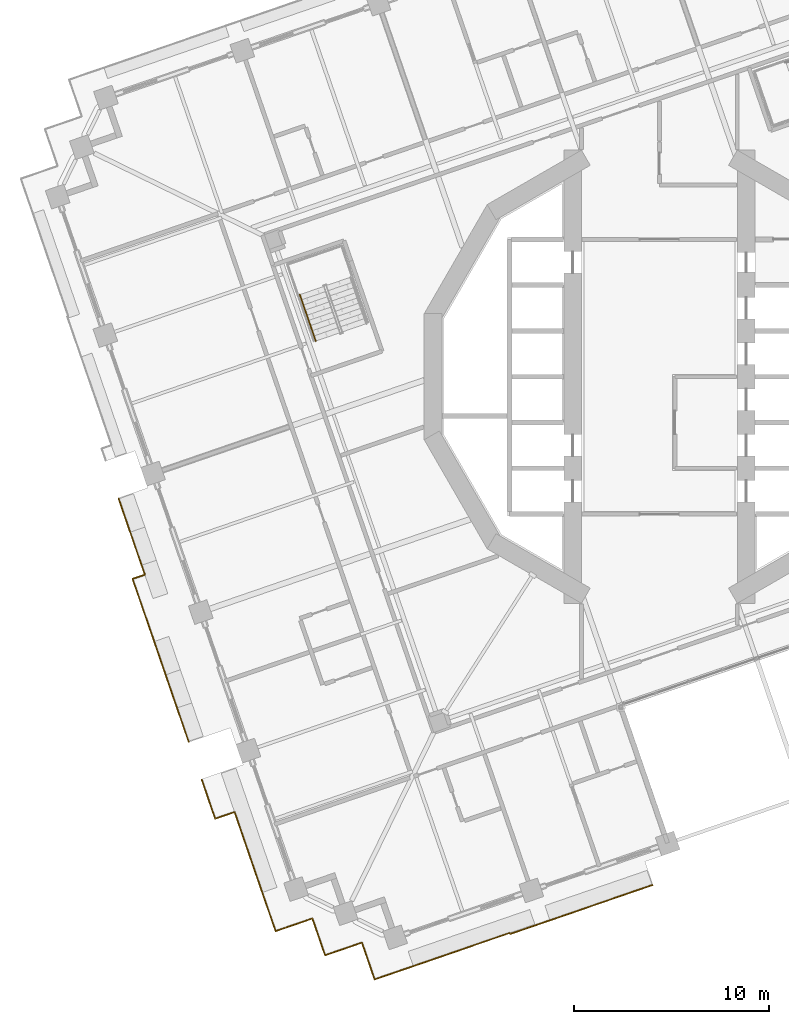
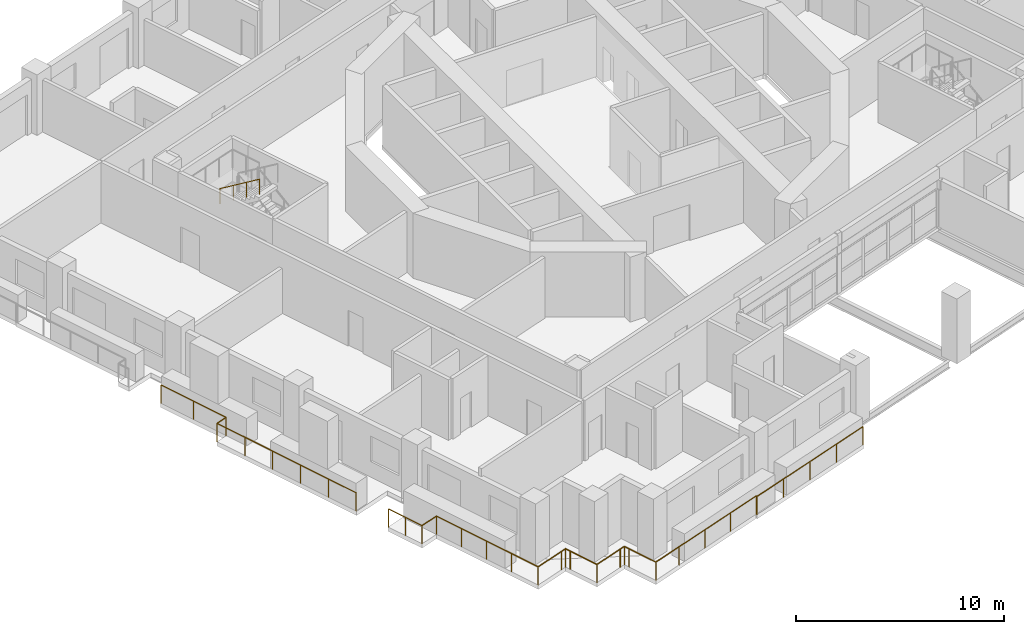
# One storey, part 16 of 22: 5 railings.
"""IFC4 building model written with IfcOpenShell, lengths in metres."""

from ifc_helpers import new_model, si_unit, direction, frame, origin, origin_2d, place, context, subcontext, project, spatial, circle, extrude, material, type_object, element, save


model = new_model("IFC4")

# Units and contexts
model_context = context("Model", 3, precision=1e-05, world=origin(), true_north=direction((0.0, 1.0)))
body_context = subcontext(model_context, "Body", "Model", "MODEL_VIEW")
ifc_project = project(units=[si_unit("LENGTHUNIT", "METRE"), si_unit("AREAUNIT", "SQUARE_METRE"), si_unit("VOLUMEUNIT", "CUBIC_METRE"), si_unit("PLANEANGLEUNIT", "RADIAN"), si_unit("MASSUNIT", "GRAM", prefix="KILO")], contexts=[model_context])

# Site, building, storey
site_placement = place(None, origin())
site = spatial("IfcSite", under=ifc_project, at=site_placement, CompositionType="ELEMENT")
building_placement = place(site_placement, origin())
building = spatial("IfcBuilding", under=site, at=building_placement, Name="Cantera Rosa Tower", CompositionType="ELEMENT")
storey_placement = place(building_placement, frame((0.0, 0.0, 104.10009765625)))
storey = spatial("IfcBuildingStorey", under=building, at=storey_placement, Name="L20", CompositionType="ELEMENT", Elevation=104.10009765625)

# Railings
ifc_material_1 = material(Name="Stainless steel and laminated glass", Category="steel")
railing_type_1 = type_object("IfcRailingType", Name="GUARD 1100", PredefinedType="BALUSTRADE", material=ifc_material_1)
railing_1_placement = place(storey_placement, frame((-18.098388671875, -27.9130859375, 0.0)))
element("IfcRailing", 1, at=railing_1_placement, inside=storey, type_object=railing_type_1, Name="GUARD L20-1", PredefinedType="BALUSTRADE", context=body_context, shape_type="SweptSolid", body=[
    extrude(circle(Radius=0.030029296875, at=origin_2d()), frame((0.0, 0.0, 1.070068359375), z_axis=(-0.945520918819, -0.325561349174, 0.0), x_axis=(0.325561349174, -0.945520918819, 0.0)), (0.0, 0.0, 1.0), 1.699951171875),
    extrude(circle(Radius=0.030029296875, at=origin_2d()), frame((-1.607421875, -0.553466796875, 1.070068359375), z_axis=(-0.325561349174, 0.945520918819, 0.0), x_axis=(-0.945520918819, -0.325561349174, 0.0)), (0.0, 0.0, 1.0), 1.699951171875),
    extrude(circle(Radius=0.030029296875, at=origin_2d()), frame((-2.160888671875, 1.053955078125, 1.070068359375), z_axis=(-0.325586514442, 0.94551225355, 0.0), x_axis=(-0.94551225355, -0.325586514442, 0.0)), (0.0, 0.0, 1.0), 4.76611328125),
    extrude(circle(Radius=0.030029296875, at=origin_2d()), frame((-3.712646484375, 5.560302734375, 1.070068359375), z_axis=(-0.945557453336, -0.325455223404, 0.0), x_axis=(0.325455223404, -0.945557453336, 0.0)), (0.0, 0.0, 1.0), 1.053955078125),
    extrude(circle(Radius=0.030029296875, at=origin_2d()), frame((-4.709228515625, 5.21728515625, 1.070068359375), z_axis=(-0.325523047431, 0.945534105991, 0.0), x_axis=(-0.945534105991, -0.325523047431, 0.0)), (0.0, 0.0, 1.0), 2.1240234375),
    extrude(circle(Radius=0.02490234375, at=origin_2d()), origin(), (0.0, 0.0, 1.0), 1.0400390625),
    extrude(circle(Radius=0.02490234375, at=origin_2d()), frame((-1.607421875, -0.553466796875, 0.0)), (0.0, 0.0, 1.0), 1.0400390625),
    extrude(circle(Radius=0.02490234375, at=origin_2d()), frame((-2.160888671875, 1.053955078125, 0.0)), (0.0, 0.0, 1.0), 1.0400390625),
    extrude(circle(Radius=0.02490234375, at=origin_2d()), frame((-2.67822265625, 2.55615234375, 0.0)), (0.0, 0.0, 1.0), 1.0400390625),
    extrude(circle(Radius=0.02490234375, at=origin_2d()), frame((-3.1953125, 4.05810546875, 0.0)), (0.0, 0.0, 1.0), 1.0400390625),
    extrude(circle(Radius=0.02490234375, at=origin_2d()), frame((-3.712646484375, 5.560302734375, 0.0)), (0.0, 0.0, 1.0), 1.0400390625),
    extrude(circle(Radius=0.02490234375, at=origin_2d()), frame((-4.709228515625, 5.21728515625, 0.0)), (0.0, 0.0, 1.0), 1.0400390625),
    extrude(circle(Radius=0.02490234375, at=origin_2d()), frame((-5.054931640625, 6.221435546875, 0.0)), (0.0, 0.0, 1.0), 1.0400390625),
    extrude(circle(Radius=0.02490234375, at=origin_2d()), frame((-5.400634765625, 7.2255859375, 0.0)), (0.0, 0.0, 1.0), 1.0400390625),
])
railing_2_placement = place(storey_placement, frame((-0.3525390625, -26.09814453125, 0.0)))
element("IfcRailing", 2, at=railing_2_placement, inside=storey, type_object=railing_type_1, Name="GUARD L20-2", PredefinedType="BALUSTRADE", context=body_context, shape_type="SweptSolid", body=[
    extrude(circle(Radius=0.030029296875, at=origin_2d()), frame((0.0, 0.0, 1.070068359375), z_axis=(-0.945517189381, -0.325572180299, 0.0), x_axis=(0.325572180299, -0.945517189381, 0.0)), (0.0, 0.0, 1.0), 7.731201171875),
    extrude(circle(Radius=0.030029296875, at=origin_2d()), frame((-7.31005859375, -2.51708984375, 1.070068359375), z_axis=(-0.325745820547, 0.945457381587, 0.0), x_axis=(-0.945457381587, -0.325745820547, 0.0)), (0.0, 0.0, 1.0), 0.0615234375),
    extrude(circle(Radius=0.030029296875, at=origin_2d()), frame((-7.330078125, -2.458984375, 1.070068359375), z_axis=(-0.945524258857, -0.32555164861, 0.0), x_axis=(0.32555164861, -0.945524258857, 0.0)), (0.0, 0.0, 1.0), 5.638671875),
    extrude(circle(Radius=0.030029296875, at=origin_2d()), frame((-12.66162109375, -4.294677734375, 1.070068359375), z_axis=(-0.945520918819, -0.325561349174, 0.0), x_axis=(0.325561349174, -0.945520918819, 0.0)), (0.0, 0.0, 1.0), 1.699951171875),
    extrude(circle(Radius=0.030029296875, at=origin_2d()), frame((-14.26904296875, -4.84814453125, 1.070068359375), z_axis=(-0.325561349174, 0.945520918819, 0.0), x_axis=(-0.945520918819, -0.325561349174, 0.0)), (0.0, 0.0, 1.0), 1.699951171875),
    extrude(circle(Radius=0.030029296875, at=origin_2d()), frame((-14.822509765625, -3.24072265625, 1.070068359375), z_axis=(-0.325489086777, 0.945545797087, 0.0), x_axis=(-0.945545797087, -0.325489086777, 0.0)), (0.0, 0.0, 1.0), 0.300048828125),
    extrude(circle(Radius=0.030029296875, at=origin_2d()), frame((-14.920166015625, -2.95703125, 1.070068359375), z_axis=(-0.945459489149, -0.325739703411, 0.0), x_axis=(0.325739703411, -0.945459489149, 0.0)), (0.0, 0.0, 1.0), 0.2998046875),
    extrude(circle(Radius=0.030029296875, at=origin_2d()), frame((-15.20361328125, -3.0546875, 1.070068359375), z_axis=(-0.945520918819, -0.325561349174, 0.0), x_axis=(0.325561349174, -0.945520918819, 0.0)), (0.0, 0.0, 1.0), 1.699951171875),
    extrude(circle(Radius=0.030029296875, at=origin_2d()), frame((-16.81103515625, -3.608154296875, 1.070068359375), z_axis=(-0.325605561237, 0.945505694584, 0.0), x_axis=(-0.945505694584, -0.325605561237, 0.0)), (0.0, 0.0, 1.0), 1.69970703125),
    extrude(circle(Radius=0.030029296875, at=origin_2d()), frame((-17.364501953125, -2.0009765625, 1.070068359375), z_axis=(-0.325489086777, 0.945545797087, 0.0), x_axis=(-0.945545797087, -0.325489086777, 0.0)), (0.0, 0.0, 1.0), 0.300048828125),
    extrude(circle(Radius=0.030029296875, at=origin_2d()), frame((-17.462158203125, -1.71728515625, 1.070068359375), z_axis=(-0.945545797087, -0.325489086777, 0.0), x_axis=(0.325489086777, -0.945545797087, 0.0)), (0.0, 0.0, 1.0), 0.300048828125),
    extrude(circle(Radius=0.02490234375, at=origin_2d()), origin(), (0.0, 0.0, 1.0), 1.0400390625),
    extrude(circle(Radius=0.02490234375, at=origin_2d()), frame((-1.82763671875, -0.62939453125, 0.0)), (0.0, 0.0, 1.0), 1.0400390625),
    extrude(circle(Radius=0.02490234375, at=origin_2d()), frame((-3.655029296875, -1.258544921875, 0.0)), (0.0, 0.0, 1.0), 1.0400390625),
    extrude(circle(Radius=0.02490234375, at=origin_2d()), frame((-5.482421875, -1.8876953125, 0.0)), (0.0, 0.0, 1.0), 1.0400390625),
    extrude(circle(Radius=0.02490234375, at=origin_2d()), frame((-7.31005859375, -2.51708984375, 0.0)), (0.0, 0.0, 1.0), 1.0400390625),
    extrude(circle(Radius=0.02490234375, at=origin_2d()), frame((-7.330078125, -2.458984375, 0.0)), (0.0, 0.0, 1.0), 1.0400390625),
    extrude(circle(Radius=0.02490234375, at=origin_2d()), frame((-9.107177734375, -3.07080078125, 0.0)), (0.0, 0.0, 1.0), 1.0400390625),
    extrude(circle(Radius=0.02490234375, at=origin_2d()), frame((-10.884521484375, -3.682861328125, 0.0)), (0.0, 0.0, 1.0), 1.0400390625),
    extrude(circle(Radius=0.02490234375, at=origin_2d()), frame((-12.66162109375, -4.294677734375, 0.0)), (0.0, 0.0, 1.0), 1.0400390625),
    extrude(circle(Radius=0.02490234375, at=origin_2d()), frame((-14.26904296875, -4.84814453125, 0.0)), (0.0, 0.0, 1.0), 1.0400390625),
    extrude(circle(Radius=0.02490234375, at=origin_2d()), frame((-14.822509765625, -3.24072265625, 0.0)), (0.0, 0.0, 1.0), 1.0400390625),
    extrude(circle(Radius=0.02490234375, at=origin_2d()), frame((-14.920166015625, -2.95703125, 0.0)), (0.0, 0.0, 1.0), 1.0400390625),
    extrude(circle(Radius=0.02490234375, at=origin_2d()), frame((-15.20361328125, -3.0546875, 0.0)), (0.0, 0.0, 1.0), 1.0400390625),
    extrude(circle(Radius=0.02490234375, at=origin_2d()), frame((-16.81103515625, -3.608154296875, 0.0)), (0.0, 0.0, 1.0), 1.0400390625),
    extrude(circle(Radius=0.02490234375, at=origin_2d()), frame((-17.364501953125, -2.0009765625, 0.0)), (0.0, 0.0, 1.0), 1.0400390625),
    extrude(circle(Radius=0.02490234375, at=origin_2d()), frame((-17.462158203125, -1.71728515625, 0.0)), (0.0, 0.0, 1.0), 1.0400390625),
    extrude(circle(Radius=0.02490234375, at=origin_2d()), frame((-17.745849609375, -1.81494140625, 0.0)), (0.0, 0.0, 1.0), 1.0400390625),
])
railing_3_placement = place(storey_placement, frame((-26.42041015625, -10.161376953125, 0.0)))
element("IfcRailing", 3, at=railing_3_placement, inside=storey, type_object=railing_type_1, Name="GUARD L20-3", PredefinedType="BALUSTRADE", context=body_context, shape_type="SweptSolid", body=[
    extrude(circle(Radius=0.030029296875, at=origin_2d()), frame((0.0, 0.0, 1.070068359375), z_axis=(-0.325526781046, 0.945532820595, 0.0), x_axis=(-0.945532820595, -0.325526781046, 0.0)), (0.0, 0.0, 1.0), 4.13623046875),
    extrude(circle(Radius=0.02490234375, at=origin_2d()), origin(), (0.0, 0.0, 1.0), 1.0400390625),
    extrude(circle(Radius=0.02490234375, at=origin_2d()), frame((-0.67333984375, 1.95556640625, 0.0)), (0.0, 0.0, 1.0), 1.0400390625),
    extrude(circle(Radius=0.02490234375, at=origin_2d()), frame((-1.346435546875, 3.910888671875, 0.0)), (0.0, 0.0, 1.0), 1.0400390625),
])
railing_4_placement = place(storey_placement, frame((-24.169677734375, -18.73974609375, 0.0)))
element("IfcRailing", 4, at=railing_4_placement, inside=storey, type_object=railing_type_1, Name="GUARD L20-4", PredefinedType="BALUSTRADE", context=body_context, shape_type="SweptSolid", body=[
    extrude(circle(Radius=0.030029296875, at=origin_2d()), frame((0.0, 0.0, 1.070068359375), z_axis=(-0.325578887948, 0.945514879694, 0.0), x_axis=(-0.945514879694, -0.325578887948, 0.0)), (0.0, 0.0, 1.0), 8.843994140625),
    extrude(circle(Radius=0.030029296875, at=origin_2d()), frame((-2.87939453125, 8.362060546875, 1.070068359375), z_axis=(0.945591306029, 0.325356853259, 0.0), x_axis=(-0.325356853259, 0.945591306029, 0.0)), (0.0, 0.0, 1.0), 0.664794921875),
    extrude(circle(Radius=0.02490234375, at=origin_2d()), origin(), (0.0, 0.0, 1.0), 1.0400390625),
    extrude(circle(Radius=0.02490234375, at=origin_2d()), frame((-0.575927734375, 1.67236328125, 0.0)), (0.0, 0.0, 1.0), 1.0400390625),
    extrude(circle(Radius=0.02490234375, at=origin_2d()), frame((-1.15185546875, 3.3447265625, 0.0)), (0.0, 0.0, 1.0), 1.0400390625),
    extrude(circle(Radius=0.02490234375, at=origin_2d()), frame((-1.7275390625, 5.017333984375, 0.0)), (0.0, 0.0, 1.0), 1.0400390625),
    extrude(circle(Radius=0.02490234375, at=origin_2d()), frame((-2.303466796875, 6.689697265625, 0.0)), (0.0, 0.0, 1.0), 1.0400390625),
    extrude(circle(Radius=0.02490234375, at=origin_2d()), frame((-2.87939453125, 8.362060546875, 0.0)), (0.0, 0.0, 1.0), 1.0400390625),
    extrude(circle(Radius=0.02490234375, at=origin_2d()), frame((-2.250732421875, 8.578369140625, 0.0)), (0.0, 0.0, 1.0), 1.0400390625),
])
ifc_material_2 = material(Name="Steel S355J2 (EN 10025-2)", Category="steel")
railing_type_2 = type_object("IfcRailingType", Name="STAIR HANDRAIL 900", PredefinedType="HANDRAIL", material=ifc_material_2)
railing_5_placement = place(storey_placement, frame((-18.46484375, 4.21142578125, 2.08984375)))
element("IfcRailing", 5, at=railing_5_placement, inside=storey, type_object=railing_type_2, Name="L20 ST-22 stair handrail 2", PredefinedType="HANDRAIL", context=body_context, shape_type="SweptSolid", body=[
    extrude(circle(Radius=0.02392578125, at=origin_2d()), frame((0.0, 0.0, 0.8759765625), z_axis=(0.269432418223, -0.782404165978, 0.561471186323), x_axis=(0.94550776501, 0.325599548996, 0.0)), (0.0, 0.0, 1.0), 3.04541015625),
    extrude(circle(Radius=0.02099609375, at=origin_2d()), origin(), (0.0, 0.0, 1.0), 0.851806640625),
    extrude(circle(Radius=0.02099609375, at=origin_2d()), frame((0.2734375, -0.794189453125, 0.570068359375)), (0.0, 0.0, 1.0), 0.851806640625),
    extrude(circle(Radius=0.02099609375, at=origin_2d()), frame((0.547119140625, -1.588623046875, 1.139892578125)), (0.0, 0.0, 1.0), 0.851806640625),
    extrude(circle(Radius=0.02099609375, at=origin_2d()), frame((0.820556640625, -2.3828125, 1.7099609375)), (0.0, 0.0, 1.0), 0.851806640625),
])

save(model, "model.ifc")
